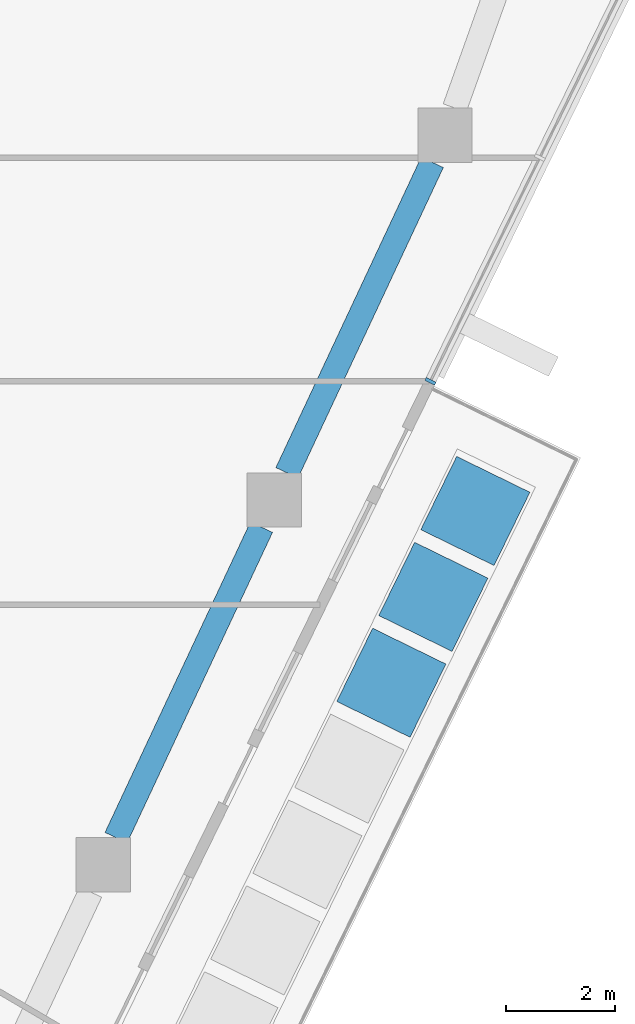
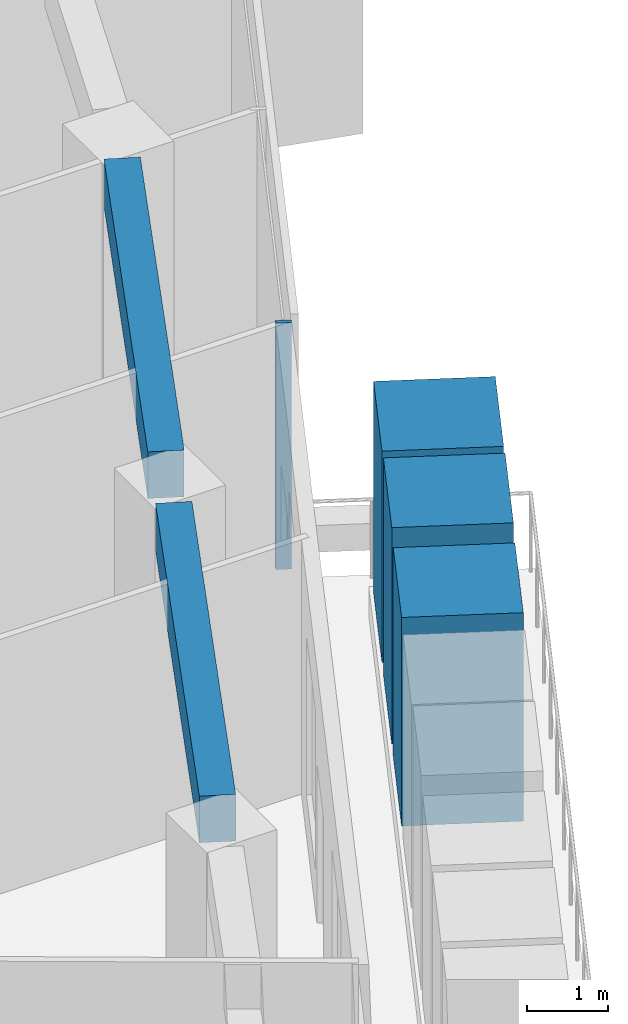
# One storey, part 5 of 24: 4 members, 2 beams, 1 element without a shape of its own.
"""IFC4 building model written with IfcOpenShell, lengths in metres."""

from ifc_helpers import new_model, si_unit, direction, frame, origin, origin_2d, place, context, subcontext, project, spatial, rectangle, extrude, material, layer, layer_set, material_profile, profile_set, type_object, element, aggregate, save


model = new_model("IFC4")

# Units and contexts
model_context = context("Model", 3, precision=1e-05, world=origin(), true_north=direction((0.0, 1.0)))
body_context = subcontext(model_context, "Body", "Model", "MODEL_VIEW")
ifc_project = project(units=[si_unit("LENGTHUNIT", "METRE"), si_unit("AREAUNIT", "SQUARE_METRE"), si_unit("VOLUMEUNIT", "CUBIC_METRE"), si_unit("PLANEANGLEUNIT", "RADIAN"), si_unit("MASSUNIT", "GRAM", prefix="KILO")], contexts=[model_context])

# Site, building, storey
site_placement = place(None, origin())
site = spatial("IfcSite", under=ifc_project, at=site_placement, CompositionType="ELEMENT")
building_placement = place(site_placement, origin())
building = spatial("IfcBuilding", under=site, at=building_placement, Name="Dongbaek Canopy Tower", CompositionType="ELEMENT")
storey_placement = place(building_placement, frame((0.0, 0.0, 332.0)))
storey = spatial("IfcBuildingStorey", under=building, at=storey_placement, Name="L71", CompositionType="ELEMENT", Elevation=332.0)

# Curtain wall, member
ifc_material_1 = material(Name="Aluminium 6063-T6 pale anodised", Category="aluminium")
ifc_layer = layer(ifc_material_1, 0.199951171875)
ifc_layer_set = layer_set([ifc_layer], Name="CW-1 unitised tower curtain wall")
curtain_wall_type = type_object("IfcCurtainWallType", Name="CW-1 unitised tower curtain wall", PredefinedType="NOTDEFINED", material=ifc_layer_set)
curtain_wall_placement = place(storey_placement, origin())
curtain_wall = element("IfcCurtainWall", 1, at=curtain_wall_placement, inside=storey, type_object=curtain_wall_type, Name="CW-1 curtain wall F5.1", PredefinedType="NOTDEFINED")
ifc_material_2 = material(Name="Aluminium 6063-T6 pale anodised", Category="aluminium")
ifc_material_profile_1 = material_profile(ifc_material_2, rectangle(XDim=0.199951171875, YDim=0.06005859375, at=origin_2d()), Name="CW-1 mullion 60 x 200")
ifc_profile_set_1 = profile_set([ifc_material_profile_1], Name="Aluminium 6063-T6 pale anodised")
member_type_1 = type_object("IfcMemberType", Name="CW-1 mullion 60 x 200", PredefinedType="MULLION", material=ifc_profile_set_1)
member_1_placement = place(storey_placement, frame((28.08251953125, -4.6962890625, 0.1201171875), z_axis=(0.0, 0.0, 1.0), x_axis=(0.89832218457, -0.439337288093, 0.0)))
member_1 = element("IfcMember", 2, at=member_1_placement, type_object=member_type_1, Name="CW-1 mullion F5.1.1", PredefinedType="MULLION", context=body_context, shape_type="SweptSolid", body=[
    extrude(rectangle(XDim=0.199951171875, YDim=0.06005859375, at=origin_2d()), origin(), (0.0, 0.0, 1.0), 3.699951171875),
])
aggregate(curtain_wall, [member_1])

# Beams
ifc_material_3 = material(Name="Concrete C60", Category="concrete")
ifc_material_profile_2 = material_profile(ifc_material_3, rectangle(XDim=0.449951171875, YDim=0.699951171875, at=origin_2d()), Name="RC EDGE BEAM 450x700 C60")
ifc_profile_set_2 = profile_set([ifc_material_profile_2], Name="Concrete C60")
beam_type = type_object("IfcBeamType", Name="RC EDGE BEAM 450x700 C60", PredefinedType="BEAM", material=ifc_profile_set_2)
beam_1_placement = place(storey_placement, frame((28.116943359375, -0.669921875, 3.469970703125), z_axis=(-0.42401310583, -0.905656052861, 0.0), x_axis=(0.905656052861, -0.42401310583, 0.0)))
element("IfcBeam", 3, at=beam_1_placement, inside=storey, type_object=beam_type, Name="EDGEBEAM:L71:22", PredefinedType="BEAM", context=body_context, shape_type="SweptSolid", body=[
    extrude(rectangle(XDim=0.449951171875, YDim=0.699951171875, at=origin_2d()), origin(), (0.0, 0.0, 1.0), 6.3037109375),
])
beam_2_placement = place(storey_placement, frame((24.975830078125, -7.37890625, 3.469970703125), z_axis=(-0.424108398663, -0.905611432229, 0.0), x_axis=(0.905611432229, -0.424108398663, 0.0)))
element("IfcBeam", 4, at=beam_2_placement, inside=storey, type_object=beam_type, Name="EDGEBEAM:L71:23", PredefinedType="BEAM", context=body_context, shape_type="SweptSolid", body=[
    extrude(rectangle(XDim=0.449951171875, YDim=0.699951171875, at=origin_2d()), origin(), (0.0, 0.0, 1.0), 6.303955078125),
])

# Members
ifc_material_4 = material(Name="Concrete C40/50 planter mass with planting", Category="concrete")
ifc_material_profile_3 = material_profile(ifc_material_4, rectangle(XDim=1.5, YDim=1.5, at=origin_2d()), Name="Terrace PLANTER shrub mass 1500 x 1500")
ifc_profile_set_3 = profile_set([ifc_material_profile_3], Name="Concrete C40/50 planter mass with planting")
member_type_2 = type_object("IfcMemberType", Name="Terrace PLANTER shrub mass 1500 x 1500", PredefinedType="USERDEFINED", material=ifc_profile_set_3)
member_2_placement = place(storey_placement, frame((27.3642578125, -10.239501953125, 0.419921875), z_axis=(0.0, 0.0, 1.0), x_axis=(0.89832218457, -0.439337288093, 0.0)))
element("IfcMember", 5, at=member_2_placement, inside=storey, type_object=member_type_2, Name="Planter shrubs L71 5.10", ObjectType="PLANTER", PredefinedType="USERDEFINED", context=body_context, shape_type="SweptSolid", body=[
    extrude(rectangle(XDim=1.5, YDim=1.5, at=origin_2d()), origin(), (0.0, 0.0, 1.0), 3.130126953125),
])
member_3_placement = place(storey_placement, frame((28.13671875, -8.66015625, 0.419921875), z_axis=(0.0, 0.0, 1.0), x_axis=(0.89832218457, -0.439337288093, 0.0)))
element("IfcMember", 6, at=member_3_placement, inside=storey, type_object=member_type_2, Name="Planter shrubs L71 5.11", ObjectType="PLANTER", PredefinedType="USERDEFINED", context=body_context, shape_type="SweptSolid", body=[
    extrude(rectangle(XDim=1.5, YDim=1.5, at=origin_2d()), origin(), (0.0, 0.0, 1.0), 3.25),
])
member_4_placement = place(storey_placement, frame((28.908935546875, -7.080810546875, 0.419921875), z_axis=(0.0, 0.0, 1.0), x_axis=(0.89832218457, -0.439337288093, 0.0)))
element("IfcMember", 7, at=member_4_placement, inside=storey, type_object=member_type_2, Name="Planter shrubs L71 5.12", ObjectType="PLANTER", PredefinedType="USERDEFINED", context=body_context, shape_type="SweptSolid", body=[
    extrude(rectangle(XDim=1.5, YDim=1.5, at=origin_2d()), origin(), (0.0, 0.0, 1.0), 3.170166015625),
])

save(model, "model.ifc")
